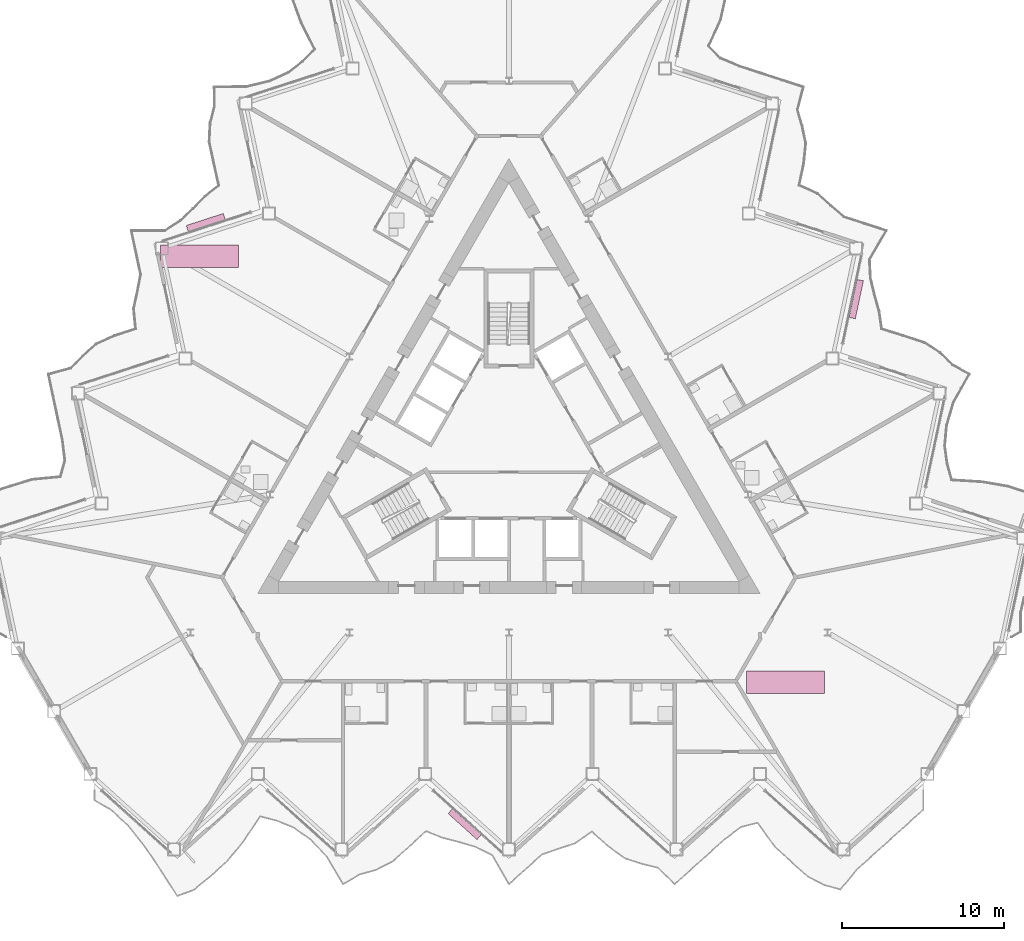
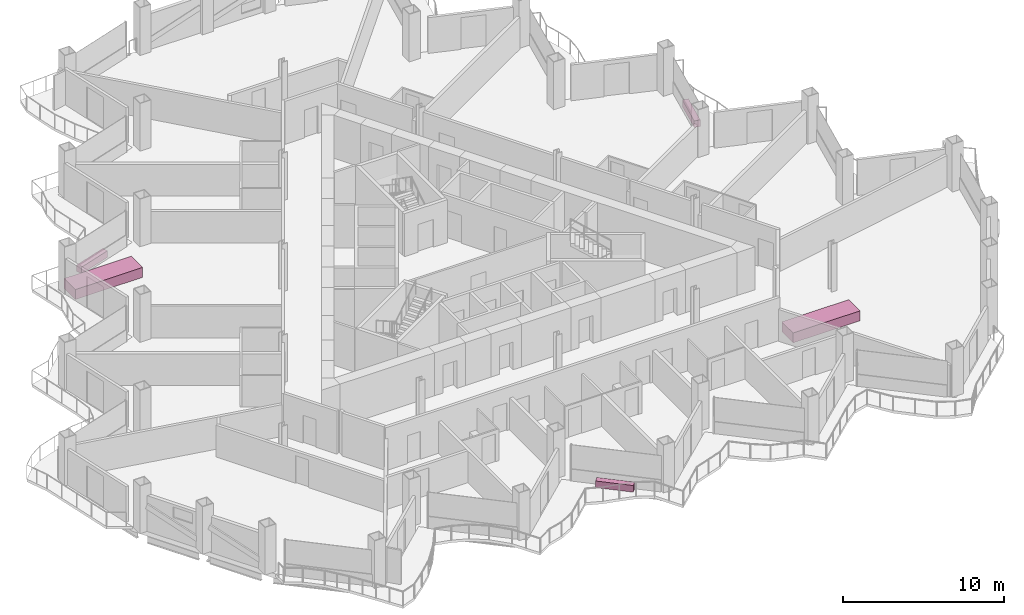
# One storey, part 23 of 23: 5 furniture elements.
"""IFC4 building model written with IfcOpenShell, lengths in metres."""

from ifc_helpers import new_model, si_unit, direction, frame, origin, origin_2d, place, context, subcontext, project, spatial, rectangle, extrude, material, type_object, element, save


model = new_model("IFC4")

# Units and contexts
model_context = context("Model", 3, precision=1e-05, world=origin(), true_north=direction((0.0, 1.0)))
body_context = subcontext(model_context, "Body", "Model", "MODEL_VIEW")
ifc_project = project(units=[si_unit("LENGTHUNIT", "METRE"), si_unit("AREAUNIT", "SQUARE_METRE"), si_unit("VOLUMEUNIT", "CUBIC_METRE"), si_unit("PLANEANGLEUNIT", "RADIAN"), si_unit("MASSUNIT", "GRAM", prefix="KILO")], contexts=[model_context])

# Site, building, storey
site_placement = place(None, origin())
site = spatial("IfcSite", under=ifc_project, at=site_placement, CompositionType="ELEMENT")
building_placement = place(site_placement, origin())
building = spatial("IfcBuilding", under=site, at=building_placement, Name="Cormorant Prow Tower", CompositionType="ELEMENT")
storey_placement = place(building_placement, frame((0.0, 0.0, 176.39990234375)))
storey = spatial("IfcBuildingStorey", under=building, at=storey_placement, Name="L37", CompositionType="ELEMENT", Elevation=176.39990234375)

# Furniture
ifc_material_1 = material(Name="Terracotta", Category="masonry")
furniture_type_1 = type_object("IfcFurnitureType", Name="Balcony planter 2400x400x500", AssemblyPlace="NOTDEFINED", PredefinedType="USERDEFINED", material=ifc_material_1)
for number, where, z_axis, x_axis, name in (
    (1, (-2.72509765625, -23.17333984375, 0.0), (0.0, 0.0, 1.0), (0.743144866726, -0.669130560548, 0.0), "Balcony planter S04"),
    (2, (21.43115234375, 9.2265625, 0.0), (0.0, 0.0, 1.0), (0.207911698927, 0.97814759901, 0.0), "Balcony planter ENE04"),
    (3, (-18.7060546875, 13.94677734375, 0.0), (0.0, 0.0, 1.0), (-0.951056534703, -0.309016937722, 0.0), "Balcony planter WNW04"),
):
    element("IfcFurniture", number, at=place(storey_placement, frame(where, z_axis=z_axis, x_axis=x_axis)), inside=storey, type_object=furniture_type_1, Name=name, ObjectType="PLANTER", PredefinedType="USERDEFINED", context=body_context, shape_type="SweptSolid", body=[
        extrude(rectangle(XDim=2.39990234375, YDim=0.39990234375, at=origin_2d()), origin(), (0.0, 0.0, 1.0), 0.5),
    ])
ifc_material_2 = material(Name="Timber joinery", Category="wood")
furniture_type_2 = type_object("IfcFurnitureType", Name="Conference table 4800x1400", AssemblyPlace="NOTDEFINED", PredefinedType="TABLE", material=ifc_material_2)
for number, where, z_axis, x_axis, name in (
    (4, (17.058837890625, -14.409423828125, 0.0), (0.0, 0.0, 1.0), (1.0, 0.0, 0.0), "Conference table"),
    (5, (-19.091552734375, 11.873779296875, 0.0), (0.0, 0.0, 1.0), (1.0, 0.0, 0.0), "Conference table"),
):
    element("IfcFurniture", number, at=place(storey_placement, frame(where, z_axis=z_axis, x_axis=x_axis)), inside=storey, type_object=furniture_type_2, Name=name, PredefinedType="TABLE", context=body_context, shape_type="SweptSolid", body=[
        extrude(rectangle(XDim=4.800048828125, YDim=1.39990234375, at=origin_2d()), origin(), (0.0, 0.0, 1.0), 0.75),
    ])

save(model, "model.ifc")
